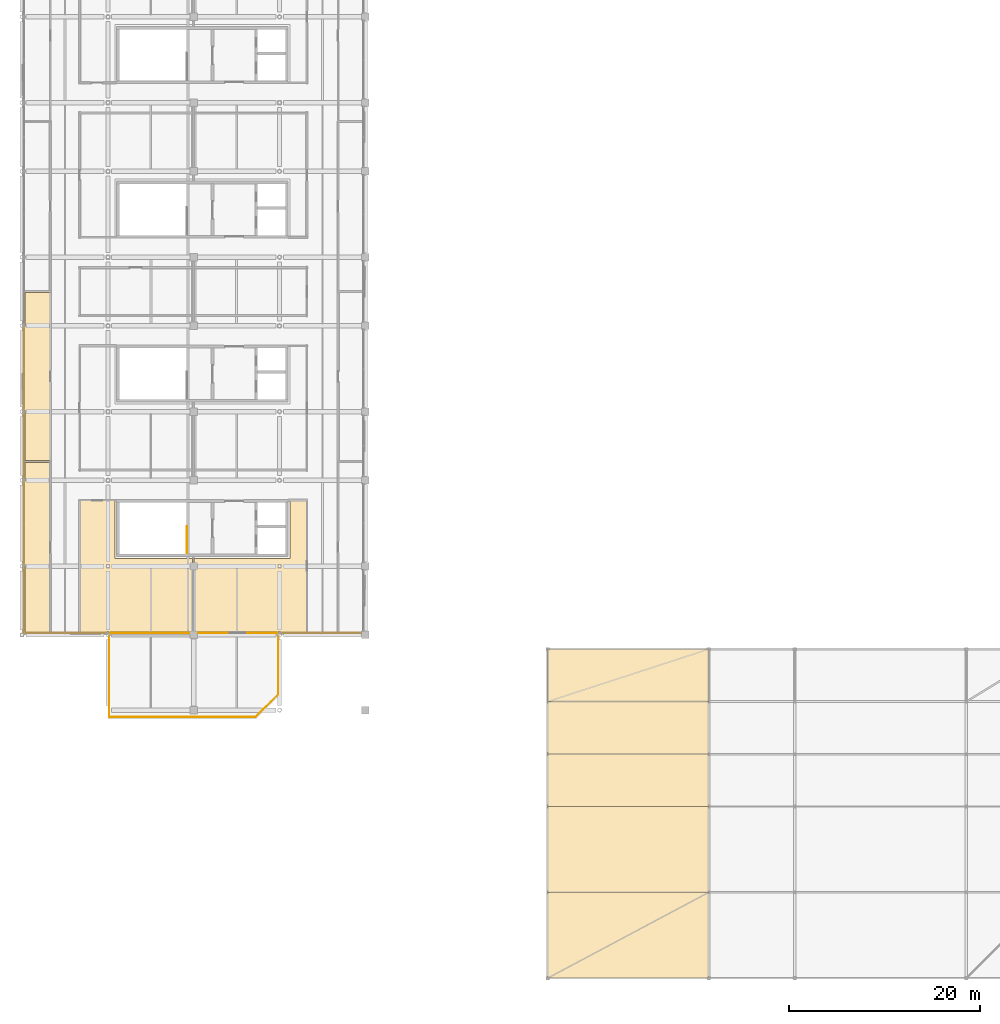
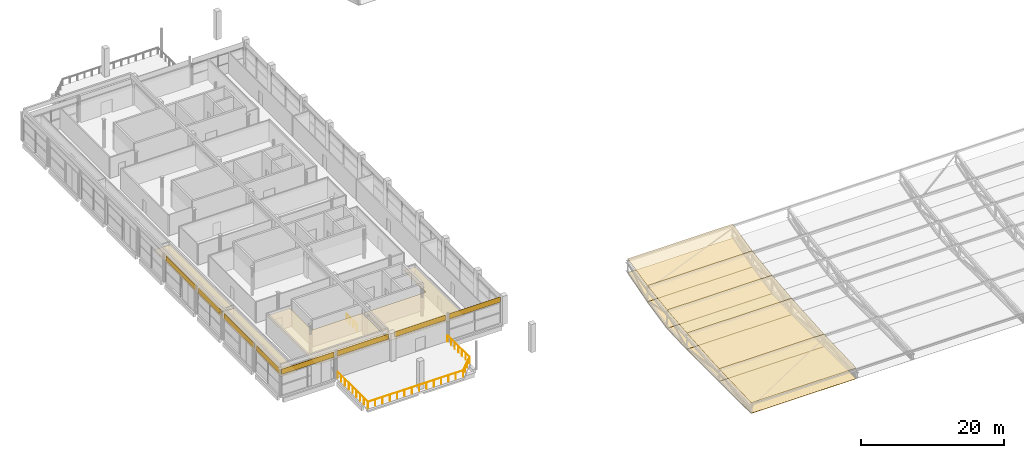
# One storey, part 107 of 114: 22 coverings, 5 railings, 1 element without a shape of its own.
"""IFC4 building model written with IfcOpenShell, lengths in metres."""

from ifc_helpers import new_model, si_unit, direction, frame, origin, origin_2d, place, context, subcontext, project, spatial, polyline, rectangle, circle, outline, extrude, material, layer, layer_set, type_object, element, aggregate, save


model = new_model("IFC4")

# Units and contexts
model_context = context("Model", 3, precision=1e-05, world=origin(), true_north=direction((0.0, 1.0)))
body_context = subcontext(model_context, "Body", "Model", "MODEL_VIEW")
ifc_project = project(units=[si_unit("LENGTHUNIT", "METRE"), si_unit("AREAUNIT", "SQUARE_METRE"), si_unit("VOLUMEUNIT", "CUBIC_METRE"), si_unit("PLANEANGLEUNIT", "RADIAN"), si_unit("MASSUNIT", "GRAM", prefix="KILO"), si_unit("THERMODYNAMICTEMPERATUREUNIT", "KELVIN"), si_unit("POWERUNIT", "WATT")], contexts=[model_context])

# Site, building, storey
site_placement = place(None, origin())
site = spatial("IfcSite", under=ifc_project, at=site_placement, CompositionType="ELEMENT")
building_placement = place(site_placement, origin())
building = spatial("IfcBuilding", under=site, at=building_placement, Name="Sindhuravela Promenade Stadium", CompositionType="ELEMENT")
storey_placement = place(building_placement, frame((0.0, 0.0, 24.0)))
storey = spatial("IfcBuildingStorey", under=building, at=storey_placement, Name="L05", CompositionType="ELEMENT", Elevation=24.0)

# Coverings
ifc_material_1 = material(Name="Acoustic mineral-fibre ceiling tile", Category="gypsum")
ifc_layer_1 = layer(ifc_material_1, 0.02490234375)
ifc_layer_set_1 = layer_set([ifc_layer_1], Name="Acoustic mineral-fibre ceiling tile")
covering_type_1 = type_object("IfcCoveringType", Name="CV-CEIL-1", PredefinedType="CEILING", material=ifc_layer_set_1)
covering_1_placement = place(storey_placement, frame((0.0, 0.0, 3.050048828125)))
element("IfcCovering", 1, at=covering_1_placement, inside=storey, type_object=covering_type_1, Name="Acoustic ceiling Press Conference Hall 2", PredefinedType="CEILING", context=body_context, shape_type="SweptSolid", body=[
    extrude(outline(polyline([(2.97998046875, 45.320068359375), (2.97998046875, 45.318115234375), (2.9794921875, 45.316162109375), (2.97900390625, 45.314208984375), (2.978515625, 45.312255859375), (2.9775390625, 45.310546875), (2.9765625, 45.308837890625), (2.9755859375, 45.307373046875), (2.97412109375, 45.305908203125), (2.97265625, 45.304443359375), (2.97119140625, 45.303466796875), (2.969482421875, 45.302490234375), (2.9677734375, 45.301513671875), (2.9658203125, 45.30078125), (2.9638671875, 45.30029296875), (2.9619140625, 45.300048828125), (2.9599609375, 45.300048828125), (0.320068359375, 45.300048828125), (0.318115234375, 45.300048828125), (0.316162109375, 45.30029296875), (0.314208984375, 45.30078125), (0.312255859375, 45.301513671875), (0.310546875, 45.302490234375), (0.308837890625, 45.303466796875), (0.307373046875, 45.304443359375), (0.305908203125, 45.305908203125), (0.304443359375, 45.307373046875), (0.303466796875, 45.308837890625), (0.302490234375, 45.310546875), (0.301513671875, 45.312255859375), (0.30078125, 45.314208984375), (0.30029296875, 45.316162109375), (0.300048828125, 45.318115234375), (0.300048828125, 45.320068359375), (0.300048828125, 63.0400390625), (0.300048828125, 63.0419921875), (0.30029296875, 63.0439453125), (0.30078125, 63.0458984375), (0.301513671875, 63.047607421875), (0.302490234375, 63.04931640625), (0.303466796875, 63.051025390625), (0.304443359375, 63.052734375), (0.305908203125, 63.05419921875), (0.307373046875, 63.055419921875), (0.308837890625, 63.056640625), (0.310546875, 63.0576171875), (0.312255859375, 63.05859375), (0.314208984375, 63.05908203125), (0.316162109375, 63.0595703125), (0.318115234375, 63.059814453125), (0.320068359375, 63.06005859375), (2.9599609375, 63.06005859375), (2.9619140625, 63.059814453125), (2.9638671875, 63.0595703125), (2.9658203125, 63.05908203125), (2.9677734375, 63.05859375), (2.969482421875, 63.0576171875), (2.97119140625, 63.056640625), (2.97265625, 63.055419921875), (2.97412109375, 63.05419921875), (2.9755859375, 63.052734375), (2.9765625, 63.051025390625), (2.9775390625, 63.04931640625), (2.978515625, 63.047607421875), (2.97900390625, 63.0458984375), (2.9794921875, 63.0439453125), (2.97998046875, 63.0419921875), (2.97998046875, 63.0400390625), (2.97998046875, 45.320068359375)])), origin(), (0.0, 0.0, 1.0), 0.02490234375),
])
covering_2_placement = place(storey_placement, frame((0.0, 0.0, 3.050048828125)))
element("IfcCovering", 2, at=covering_2_placement, inside=storey, type_object=covering_type_1, Name="Acoustic ceiling Television Broadcast Studio A 4", PredefinedType="CEILING", context=body_context, shape_type="SweptSolid", body=[
    extrude(outline(polyline([(2.97998046875, 63.280029296875), (2.97998046875, 63.278076171875), (2.9794921875, 63.276123046875), (2.97900390625, 63.274169921875), (2.978515625, 63.272216796875), (2.9775390625, 63.2705078125), (2.9765625, 63.268798828125), (2.9755859375, 63.267333984375), (2.97412109375, 63.265869140625), (2.97265625, 63.264404296875), (2.97119140625, 63.263427734375), (2.969482421875, 63.262451171875), (2.9677734375, 63.261474609375), (2.9658203125, 63.260986328125), (2.9638671875, 63.260498046875), (2.9619140625, 63.260009765625), (2.9599609375, 63.260009765625), (0.320068359375, 63.260009765625), (0.318115234375, 63.260009765625), (0.316162109375, 63.260498046875), (0.314208984375, 63.260986328125), (0.312255859375, 63.261474609375), (0.310546875, 63.262451171875), (0.308837890625, 63.263427734375), (0.307373046875, 63.264404296875), (0.305908203125, 63.265869140625), (0.304443359375, 63.267333984375), (0.303466796875, 63.268798828125), (0.302490234375, 63.2705078125), (0.301513671875, 63.272216796875), (0.30078125, 63.274169921875), (0.30029296875, 63.276123046875), (0.300048828125, 63.278076171875), (0.300048828125, 63.280029296875), (0.300048828125, 80.8798828125), (0.300048828125, 80.882080078125), (0.30029296875, 80.8837890625), (0.30078125, 80.8857421875), (0.301513671875, 80.8876953125), (0.302490234375, 80.889404296875), (0.303466796875, 80.89111328125), (0.304443359375, 80.892578125), (0.305908203125, 80.89404296875), (0.307373046875, 80.8955078125), (0.308837890625, 80.896484375), (0.310546875, 80.897705078125), (0.312255859375, 80.8984375), (0.314208984375, 80.899169921875), (0.316162109375, 80.899658203125), (0.318115234375, 80.89990234375), (0.320068359375, 80.89990234375), (2.9599609375, 80.89990234375), (2.9619140625, 80.89990234375), (2.9638671875, 80.899658203125), (2.9658203125, 80.899169921875), (2.9677734375, 80.8984375), (2.969482421875, 80.897705078125), (2.97119140625, 80.896484375), (2.97265625, 80.8955078125), (2.97412109375, 80.89404296875), (2.9755859375, 80.892578125), (2.9765625, 80.89111328125), (2.9775390625, 80.889404296875), (2.978515625, 80.8876953125), (2.97900390625, 80.8857421875), (2.9794921875, 80.8837890625), (2.97998046875, 80.882080078125), (2.97998046875, 80.8798828125), (2.97998046875, 63.280029296875)])), origin(), (0.0, 0.0, 1.0), 0.02490234375),
])
ifc_layer_2 = layer(ifc_material_1, 0.044921875)
ifc_layer_set_2 = layer_set([ifc_layer_2], Name="Acoustic mineral-fibre ceiling tile")
covering_type_2 = type_object("IfcCoveringType", Name="CV-CEIL-2", PredefinedType="CEILING", material=ifc_layer_set_2)
covering_3_placement = place(storey_placement, frame((0.0, 0.0, 3.050048828125)))
element("IfcCovering", 3, at=covering_3_placement, inside=storey, type_object=covering_type_2, Name="Acoustic ceiling Press Conference Hall", PredefinedType="CEILING", context=body_context, shape_type="SweptSolid", body=[
    extrude(outline(polyline([(6.02001953125, 59.110107421875), (6.02001953125, 59.112060546875), (6.0205078125, 59.114013671875), (6.02099609375, 59.11572265625), (6.021484375, 59.11767578125), (6.0224609375, 59.119384765625), (6.0234375, 59.12109375), (6.0244140625, 59.122802734375), (6.02587890625, 59.1240234375), (6.02734375, 59.12548828125), (6.02880859375, 59.126708984375), (6.030517578125, 59.127685546875), (6.0322265625, 59.12841796875), (6.0341796875, 59.129150390625), (6.0361328125, 59.129638671875), (6.0380859375, 59.1298828125), (6.0400390625, 59.1298828125), (9.699951171875, 59.1298828125), (9.701904296875, 59.1298828125), (9.703857421875, 59.129638671875), (9.705810546875, 59.129150390625), (9.707763671875, 59.12841796875), (9.70947265625, 59.127685546875), (9.711181640625, 59.126708984375), (9.712646484375, 59.12548828125), (9.714111328125, 59.1240234375), (9.715576171875, 59.122802734375), (9.716552734375, 59.12109375), (9.717529296875, 59.119384765625), (9.718505859375, 59.11767578125), (9.718994140625, 59.11572265625), (9.719482421875, 59.114013671875), (9.719970703125, 59.112060546875), (9.719970703125, 59.110107421875), (9.719970703125, 53.02001953125), (17.830078125, 53.02001953125), (17.83203125, 53.02001953125), (17.833984375, 53.01953125), (17.835693359375, 53.01904296875), (17.837646484375, 53.0185546875), (17.83935546875, 53.017578125), (17.841064453125, 53.0166015625), (17.8427734375, 53.015380859375), (17.843994140625, 53.01416015625), (17.845458984375, 53.0126953125), (17.8466796875, 53.010986328125), (17.84765625, 53.009521484375), (17.848388671875, 53.0078125), (17.84912109375, 53.005859375), (17.849609375, 53.00390625), (17.849853515625, 53.001953125), (17.85009765625, 53.0), (17.85009765625, 45.320068359375), (17.849853515625, 45.318115234375), (17.849609375, 45.316162109375), (17.84912109375, 45.314208984375), (17.848388671875, 45.312255859375), (17.84765625, 45.310546875), (17.8466796875, 45.308837890625), (17.845458984375, 45.307373046875), (17.843994140625, 45.305908203125), (17.8427734375, 45.304443359375), (17.841064453125, 45.303466796875), (17.83935546875, 45.302490234375), (17.837646484375, 45.301513671875), (17.835693359375, 45.30078125), (17.833984375, 45.30029296875), (17.83203125, 45.300048828125), (17.830078125, 45.300048828125), (6.0400390625, 45.300048828125), (6.0380859375, 45.300048828125), (6.0361328125, 45.30029296875), (6.0341796875, 45.30078125), (6.0322265625, 45.301513671875), (6.030517578125, 45.302490234375), (6.02880859375, 45.303466796875), (6.02734375, 45.304443359375), (6.02587890625, 45.305908203125), (6.0244140625, 45.307373046875), (6.0234375, 45.308837890625), (6.0224609375, 45.310546875), (6.021484375, 45.312255859375), (6.02099609375, 45.314208984375), (6.0205078125, 45.316162109375), (6.02001953125, 45.318115234375), (6.02001953125, 45.320068359375), (6.02001953125, 59.110107421875)])), origin(), (0.0, 0.0, 1.0), 0.044921875),
])
covering_4_placement = place(storey_placement, frame((0.0, 0.0, 3.050048828125)))
element("IfcCovering", 4, at=covering_4_placement, inside=storey, type_object=covering_type_2, Name="Acoustic ceiling Match Commentary Boxes", PredefinedType="CEILING", context=body_context, shape_type="SweptSolid", body=[
    extrude(outline(polyline([(28.080078125, 53.02001953125), (28.080078125, 59.110107421875), (28.080078125, 59.112060546875), (28.080322265625, 59.114013671875), (28.080810546875, 59.11572265625), (28.08154296875, 59.11767578125), (28.08251953125, 59.119384765625), (28.08349609375, 59.12109375), (28.08447265625, 59.122802734375), (28.0859375, 59.1240234375), (28.08740234375, 59.12548828125), (28.0888671875, 59.126708984375), (28.090576171875, 59.127685546875), (28.09228515625, 59.12841796875), (28.09423828125, 59.129150390625), (28.09619140625, 59.129638671875), (28.097900390625, 59.1298828125), (28.10009765625, 59.1298828125), (29.860107421875, 59.1298828125), (29.862060546875, 59.1298828125), (29.864013671875, 59.129638671875), (29.86572265625, 59.129150390625), (29.86767578125, 59.12841796875), (29.869384765625, 59.127685546875), (29.87109375, 59.126708984375), (29.872802734375, 59.12548828125), (29.8740234375, 59.1240234375), (29.87548828125, 59.122802734375), (29.876708984375, 59.12109375), (29.877685546875, 59.119384765625), (29.87841796875, 59.11767578125), (29.879150390625, 59.11572265625), (29.879638671875, 59.114013671875), (29.8798828125, 59.112060546875), (29.8798828125, 59.110107421875), (29.8798828125, 45.320068359375), (29.8798828125, 45.318115234375), (29.879638671875, 45.316162109375), (29.879150390625, 45.314208984375), (29.87841796875, 45.312255859375), (29.877685546875, 45.310546875), (29.876708984375, 45.308837890625), (29.87548828125, 45.307373046875), (29.8740234375, 45.305908203125), (29.872802734375, 45.304443359375), (29.87109375, 45.303466796875), (29.869384765625, 45.302490234375), (29.86767578125, 45.301513671875), (29.86572265625, 45.30078125), (29.864013671875, 45.30029296875), (29.862060546875, 45.300048828125), (29.860107421875, 45.300048828125), (18.070068359375, 45.300048828125), (18.068115234375, 45.300048828125), (18.066162109375, 45.30029296875), (18.064208984375, 45.30078125), (18.062255859375, 45.301513671875), (18.060546875, 45.302490234375), (18.058837890625, 45.303466796875), (18.057373046875, 45.304443359375), (18.055908203125, 45.305908203125), (18.054443359375, 45.307373046875), (18.053466796875, 45.308837890625), (18.052490234375, 45.310546875), (18.051513671875, 45.312255859375), (18.05078125, 45.314208984375), (18.05029296875, 45.316162109375), (18.050048828125, 45.318115234375), (18.050048828125, 45.320068359375), (18.050048828125, 53.0), (18.050048828125, 53.001953125), (18.05029296875, 53.00390625), (18.05078125, 53.005859375), (18.051513671875, 53.0078125), (18.052490234375, 53.009521484375), (18.053466796875, 53.010986328125), (18.054443359375, 53.0126953125), (18.055908203125, 53.01416015625), (18.057373046875, 53.015380859375), (18.058837890625, 53.0166015625), (18.060546875, 53.017578125), (18.062255859375, 53.0185546875), (18.064208984375, 53.01904296875), (18.066162109375, 53.01953125), (18.068115234375, 53.02001953125), (18.070068359375, 53.02001953125), (28.080078125, 53.02001953125)])), origin(), (0.0, 0.0, 1.0), 0.044921875),
])

# Roof, coverings
ifc_material_2 = material(Name="Standing-seam zinc-aluminium roof sheet", Category="aluminium")
roof_type = type_object("IfcRoofType", Name="RF-BARREL-S", PredefinedType="BARREL_ROOF", material=ifc_material_2)
roof_placement = place(storey_placement, origin())
roof = element("IfcRoof", 5, at=roof_placement, inside=storey, type_object=roof_type, Name="Cantilevered stand roof assembly S-1", PredefinedType="BARREL_ROOF")
ifc_layer_3 = layer(ifc_material_2, 0.044921875)
ifc_layer_set_3 = layer_set([ifc_layer_3], Name="Standing-seam zinc-aluminium roof sheet")
covering_type_3 = type_object("IfcCoveringType", Name="CV-ROOF-S", PredefinedType="ROOFING", material=ifc_layer_set_3)
covering_5_placement = place(storey_placement, frame((55.10009765625, 9.0, 1.510009765625), z_axis=(0.0, -0.03632583546850814, 0.9993399990381224), x_axis=(1.0, 0.0, 0.0)))
covering_5 = element("IfcCovering", 6, at=covering_5_placement, type_object=covering_type_3, Name="Standing-seam roof covering S bay 1.1", PredefinedType="ROOFING", context=body_context, shape_type="SweptSolid", body=[
    extrude(outline(polyline([(0.0, 0.0), (16.89990234375, 0.0), (16.89990234375, 9.005943931657507), (0.0, 9.005943931657507), (0.0, 0.0)])), origin(), (0.0, 0.0, -1.0), 0.044921875),
])
covering_6_placement = place(storey_placement, frame((55.10009765625, 18.0, 1.837158203125), z_axis=(0.0, -0.07048937017679614, 0.9975125305940165), x_axis=(1.0, 0.0, 0.0)))
covering_6 = element("IfcCovering", 7, at=covering_6_placement, type_object=covering_type_3, Name="Standing-seam roof covering S bay 1.2", PredefinedType="ROOFING", context=body_context, shape_type="SweptSolid", body=[
    extrude(outline(polyline([(0.0, 0.0), (16.89990234375, 0.0), (16.89990234375, 9.022443051056733), (0.0, 9.022443051056733), (0.0, 0.0)])), origin(), (0.0, 0.0, -1.0), 0.044921875),
])
covering_7_placement = place(storey_placement, frame((55.10009765625, 27.0, 2.47314453125), z_axis=(0.0, -0.10654559094419869, 0.9943078180575428), x_axis=(1.0, 0.0, 0.0)))
covering_7 = element("IfcCovering", 8, at=covering_7_placement, type_object=covering_type_3, Name="Standing-seam roof covering S bay 1.3", PredefinedType="ROOFING", context=body_context, shape_type="SweptSolid", body=[
    extrude(outline(polyline([(0.0, 0.0), (16.89990234375, 0.0), (16.89990234375, 5.531486226010649), (0.0, 5.531486226010649), (0.0, 0.0)])), origin(), (0.0, 0.0, -1.0), 0.044921875),
])
covering_8_placement = place(storey_placement, frame((55.10009765625, 32.5, 3.0625), z_axis=(0.0, -0.14687168523012892, 0.9891555530237203), x_axis=(1.0, 0.0, 0.0)))
covering_8 = element("IfcCovering", 9, at=covering_8_placement, type_object=covering_type_3, Name="Standing-seam roof covering S bay 1.4", PredefinedType="ROOFING", context=body_context, shape_type="SweptSolid", body=[
    extrude(outline(polyline([(0.0, 0.0), (16.89990234375, 0.0), (16.89990234375, 5.560298360745398), (0.0, 5.560298360745398), (0.0, 0.0)])), origin(), (0.0, 0.0, -1.0), 0.044921875),
])
covering_9_placement = place(storey_placement, frame((55.10009765625, 38.0, 3.879150390625), z_axis=(0.0, -0.21840708317536628, 0.9758577488644687), x_axis=(1.0, 0.0, 0.0)))
covering_9 = element("IfcCovering", 10, at=covering_9_placement, type_object=covering_type_3, Name="Standing-seam roof covering S bay 1.5", PredefinedType="ROOFING", context=body_context, shape_type="SweptSolid", body=[
    extrude(outline(polyline([(0.0, 0.0), (16.89990234375, 0.0), (16.89990234375, 5.6360673534640995), (0.0, 5.6360673534640995), (0.0, 0.0)])), origin(), (0.0, 0.0, -1.0), 0.044921875),
])
aggregate(roof, [covering_5, covering_6, covering_7, covering_8, covering_9])

# Coverings
ifc_material_3 = material(Name="White PVDF aluminium soffit cladding", Category="aluminium")
ifc_layer_4 = layer(ifc_material_3, 0.034912109375)
ifc_layer_set_4 = layer_set([ifc_layer_4], Name="White PVDF aluminium soffit cladding")
covering_type_4 = type_object("IfcCoveringType", Name="CV-SOFFIT-S", PredefinedType="CEILING", material=ifc_layer_set_4)
for number, where, z_axis, x_axis, name in (
    (11, (55.10009765625, 9.0, -0.300048828125), (0.0, 0.0, 1.0), (1.0, 0.0, 0.0), "Smooth white canopy soffit cladding S bay 1.1"),
    (12, (55.10009765625, 18.0, -0.300048828125), (0.0, 0.0, 1.0), (1.0, 0.0, 0.0), "Smooth white canopy soffit cladding S bay 1.2"),
):
    element("IfcCovering", number, at=place(storey_placement, frame(where, z_axis=z_axis, x_axis=x_axis)), inside=storey, type_object=covering_type_4, Name=name, PredefinedType="CEILING", context=body_context, shape_type="SweptSolid", body=[
        extrude(outline(polyline([(0.0, 0.0), (16.89990234375, 0.0), (16.89990234375, 9.0), (0.0, 9.0), (0.0, 0.0)])), origin(), (0.0, 0.0, -1.0), 0.034912109375),
    ])
covering_10_placement = place(storey_placement, frame((55.10009765625, 27.0, -0.300048828125), z_axis=(0.0, -0.04133538022189949, 0.9991453279387894), x_axis=(1.0, 0.0, 0.0)))
element("IfcCovering", 13, at=covering_10_placement, inside=storey, type_object=covering_type_4, Name="Smooth white canopy soffit cladding S bay 1.3", PredefinedType="CEILING", context=body_context, shape_type="SweptSolid", body=[
    extrude(outline(polyline([(0.0, 0.0), (16.89990234375, 0.0), (16.89990234375, 5.5047047173271135), (0.0, 5.5047047173271135), (0.0, 0.0)])), origin(), (0.0, 0.0, -1.0), 0.034912109375),
])
covering_11_placement = place(storey_placement, frame((55.10009765625, 32.5, -0.072509765625), z_axis=(0.0, -0.21175058451368892, 0.9773237385626683), x_axis=(1.0, 0.0, 0.0)))
element("IfcCovering", 14, at=covering_11_placement, inside=storey, type_object=covering_type_4, Name="Smooth white canopy soffit cladding S bay 1.4", PredefinedType="CEILING", context=body_context, shape_type="SweptSolid", body=[
    extrude(outline(polyline([(0.0, 0.0), (16.89990234375, 0.0), (16.89990234375, 5.627613228845485), (0.0, 5.627613228845485), (0.0, 0.0)])), origin(), (0.0, 0.0, -1.0), 0.034912109375),
])
covering_12_placement = place(storey_placement, frame((55.10009765625, 38.0, 1.119140625), z_axis=(0.0, -0.2802879621914538, 0.9599159641606979), x_axis=(1.0, 0.0, 0.0)))
element("IfcCovering", 15, at=covering_12_placement, inside=storey, type_object=covering_type_4, Name="Smooth white canopy soffit cladding S bay 1.5", PredefinedType="CEILING", context=body_context, shape_type="SweptSolid", body=[
    extrude(outline(polyline([(0.0, 0.0), (16.89990234375, 0.0), (16.89990234375, 5.729668226539938), (0.0, 5.729668226539938), (0.0, 0.0)])), origin(), (0.0, 0.0, -1.0), 0.034912109375),
])
ifc_material_4 = material(Name="Polychrome trencadis ceramic mosaic", Category="masonry")
ifc_layer_5 = layer(ifc_material_4, 0.034912109375)
ifc_layer_set_5 = layer_set([ifc_layer_5], Name="Polychrome trencadis ceramic mosaic")
covering_type_5 = type_object("IfcCoveringType", Name="CV-TRENC-1", PredefinedType="CLADDING", material=ifc_layer_set_5)
for number, where, z_axis, x_axis, name in (
    (16, (0.179931640625, 48.60009765625, 3.55517578125), (0.0, 0.0, 1.0), (0.0, 1.0, 0.0), "Trencadis ceramic mosaic spandrel frieze WEST L05-118"),
    (17, (0.179931640625, 64.800048828125, 3.55517578125), (0.0, 0.0, 1.0), (0.0, 1.0, 0.0), "Trencadis ceramic mosaic spandrel frieze WEST L05-120"),
):
    element("IfcCovering", number, at=place(storey_placement, frame(where, z_axis=z_axis, x_axis=x_axis)), inside=storey, type_object=covering_type_5, Name=name, PredefinedType="CLADDING", context=body_context, shape_type="SweptSolid", body=[
        extrude(rectangle(XDim=6.6640625, YDim=0.034912109375, at=origin_2d()), origin(), (0.0, 0.0, 1.0), 0.905029296875),
    ])
for number, where, z_axis, x_axis, name in (
    (18, (31.401611328125, 45.179931640625, 3.55517578125), (0.0, 0.0, 1.0), (-1.0, 0.0, 0.0), "Trencadis ceramic mosaic spandrel frieze WEST L05-140"),
    (19, (13.401611328125, 45.179931640625, 3.55517578125), (0.0, 0.0, 1.0), (-1.0, 0.0, 0.0), "Trencadis ceramic mosaic spandrel frieze WEST L05-142"),
):
    element("IfcCovering", number, at=place(storey_placement, frame(where, z_axis=z_axis, x_axis=x_axis)), inside=storey, type_object=covering_type_5, Name=name, PredefinedType="CLADDING", context=body_context, shape_type="SweptSolid", body=[
        extrude(rectangle(XDim=8.26708984375, YDim=0.034912109375, at=origin_2d()), origin(), (0.0, 0.0, 1.0), 0.905029296875),
    ])
ifc_layer_6 = layer(ifc_material_4, 0.050048828125)
ifc_layer_set_6 = layer_set([ifc_layer_6], Name="Polychrome trencadis ceramic mosaic")
covering_type_6 = type_object("IfcCoveringType", Name="CV-TRENC-2", PredefinedType="CLADDING", material=ifc_layer_set_6)
for number, where, z_axis, x_axis, name in (
    (20, (0.179931640625, 56.699951171875, 3.55517578125), (0.0, 0.0, 1.0), (0.0, 1.0, 0.0), "Trencadis ceramic mosaic spandrel frieze WEST L05-119"),
    (21, (0.179931640625, 72.89990234375, 3.55517578125), (0.0, 0.0, 1.0), (0.0, 1.0, 0.0), "Trencadis ceramic mosaic spandrel frieze WEST L05-121"),
):
    element("IfcCovering", number, at=place(storey_placement, frame(where, z_axis=z_axis, x_axis=x_axis)), inside=storey, type_object=covering_type_6, Name=name, PredefinedType="CLADDING", context=body_context, shape_type="SweptSolid", body=[
        extrude(rectangle(XDim=8.464111328125, YDim=0.050048828125, at=origin_2d()), origin(), (0.0, 0.0, 1.0), 0.905029296875),
    ])
covering_13_placement = place(storey_placement, frame((22.598388671875, 45.179931640625, 3.55517578125), z_axis=(0.0, 0.0, 1.0), x_axis=(-1.0, 0.0, 0.0)))
element("IfcCovering", 22, at=covering_13_placement, inside=storey, type_object=covering_type_6, Name="Trencadis ceramic mosaic spandrel frieze WEST L05-141", PredefinedType="CLADDING", context=body_context, shape_type="SweptSolid", body=[
    extrude(rectangle(XDim=8.26708984375, YDim=0.050048828125, at=origin_2d()), origin(), (0.0, 0.0, 1.0), 0.905029296875),
])
covering_14_placement = place(storey_placement, frame((4.5, 45.179931640625, 3.55517578125), z_axis=(0.0, 0.0, 1.0), x_axis=(-1.0, 0.0, 0.0)))
element("IfcCovering", 23, at=covering_14_placement, inside=storey, type_object=covering_type_6, Name="Trencadis ceramic mosaic spandrel frieze WEST L05-143", PredefinedType="CLADDING", context=body_context, shape_type="SweptSolid", body=[
    extrude(rectangle(XDim=8.464111328125, YDim=0.050048828125, at=origin_2d()), origin(), (0.0, 0.0, 1.0), 0.905029296875),
])

# Railings
ifc_material_5 = material(Name="Architectural wrought steel E350", Category="steel")
railing_type_1 = type_object("IfcRailingType", Name="RL-BAL-1150", PredefinedType="BALUSTRADE", material=ifc_material_5)
railing_1_placement = place(storey_placement, frame((9.139892578125, 36.389892578125, 0.0)))
element("IfcRailing", 24, at=railing_1_placement, inside=storey, type_object=railing_type_1, Name="Terrace wrought balustrade BL01-49", PredefinedType="BALUSTRADE", context=body_context, shape_type="SweptSolid", body=[
    extrude(circle(Radius=0.02392578125, at=origin_2d()), frame((0.0, 0.0, 1.1259765625), z_axis=(0.0, 1.0, 0.0), x_axis=(-1.0, 0.0, 0.0)), (0.0, 0.0, 1.0), 8.47021484375),
    extrude(circle(Radius=0.02099609375, at=origin_2d()), origin(), (0.0, 0.0, 1.0), 1.101806640625),
    extrude(circle(Radius=0.02099609375, at=origin_2d()), frame((0.0, 1.058837890625, 0.0)), (0.0, 0.0, 1.0), 1.101806640625),
    extrude(circle(Radius=0.02099609375, at=origin_2d()), frame((0.0, 2.11767578125, 0.0)), (0.0, 0.0, 1.0), 1.101806640625),
    extrude(circle(Radius=0.02099609375, at=origin_2d()), frame((0.0, 3.17626953125, 0.0)), (0.0, 0.0, 1.0), 1.101806640625),
    extrude(circle(Radius=0.02099609375, at=origin_2d()), frame((0.0, 4.235107421875, 0.0)), (0.0, 0.0, 1.0), 1.101806640625),
    extrude(circle(Radius=0.02099609375, at=origin_2d()), frame((0.0, 5.2939453125, 0.0)), (0.0, 0.0, 1.0), 1.101806640625),
    extrude(circle(Radius=0.02099609375, at=origin_2d()), frame((0.0, 6.3525390625, 0.0)), (0.0, 0.0, 1.0), 1.101806640625),
    extrude(circle(Radius=0.02099609375, at=origin_2d()), frame((0.0, 7.411376953125, 0.0)), (0.0, 0.0, 1.0), 1.101806640625),
    extrude(circle(Radius=0.02099609375, at=origin_2d()), frame((0.0, 8.47021484375, 0.0)), (0.0, 0.0, 1.0), 1.101806640625),
])
railing_2_placement = place(storey_placement, frame((26.860107421875, 44.860107421875, 0.0)))
element("IfcRailing", 25, at=railing_2_placement, inside=storey, type_object=railing_type_1, Name="Terrace wrought balustrade BL01-50", PredefinedType="BALUSTRADE", context=body_context, shape_type="SweptSolid", body=[
    extrude(circle(Radius=0.02392578125, at=origin_2d()), frame((0.0, 0.0, 1.1259765625), z_axis=(0.0, -1.0, 0.0), x_axis=(1.0, 0.0, 0.0)), (0.0, 0.0, 1.0), 6.10205078125),
    extrude(circle(Radius=0.02099609375, at=origin_2d()), origin(), (0.0, 0.0, 1.0), 1.101806640625),
    extrude(circle(Radius=0.02099609375, at=origin_2d()), frame((0.0, -1.01708984375, 0.0)), (0.0, 0.0, 1.0), 1.101806640625),
    extrude(circle(Radius=0.02099609375, at=origin_2d()), frame((0.0, -2.033935546875, 0.0)), (0.0, 0.0, 1.0), 1.101806640625),
    extrude(circle(Radius=0.02099609375, at=origin_2d()), frame((0.0, -3.051025390625, 0.0)), (0.0, 0.0, 1.0), 1.101806640625),
    extrude(circle(Radius=0.02099609375, at=origin_2d()), frame((0.0, -4.068115234375, 0.0)), (0.0, 0.0, 1.0), 1.101806640625),
    extrude(circle(Radius=0.02099609375, at=origin_2d()), frame((0.0, -5.0849609375, 0.0)), (0.0, 0.0, 1.0), 1.101806640625),
    extrude(circle(Radius=0.02099609375, at=origin_2d()), frame((0.0, -6.10205078125, 0.0)), (0.0, 0.0, 1.0), 1.101806640625),
])
railing_3_placement = place(storey_placement, frame((26.860107421875, 38.758056640625, 0.0)))
element("IfcRailing", 26, at=railing_3_placement, inside=storey, type_object=railing_type_1, Name="Terrace wrought balustrade BL01-51", PredefinedType="BALUSTRADE", context=body_context, shape_type="SweptSolid", body=[
    extrude(circle(Radius=0.02392578125, at=origin_2d()), frame((0.0, 0.0, 1.1259765625), z_axis=(-0.7071067811865475, -0.7071067811865475, 0.0), x_axis=(0.7071067811865476, -0.7071067811865476, 0.0)), (0.0, 0.0, 1.0), 3.34912109375),
    extrude(circle(Radius=0.02099609375, at=origin_2d()), origin(), (0.0, 0.0, 1.0), 1.101806640625),
    extrude(circle(Radius=0.02099609375, at=origin_2d()), frame((-0.789306640625, -0.789306640625, 0.0)), (0.0, 0.0, 1.0), 1.101806640625),
    extrude(circle(Radius=0.02099609375, at=origin_2d()), frame((-1.578857421875, -1.578857421875, 0.0)), (0.0, 0.0, 1.0), 1.101806640625),
    extrude(circle(Radius=0.02099609375, at=origin_2d()), frame((-2.3681640625, -2.3681640625, 0.0)), (0.0, 0.0, 1.0), 1.101806640625),
])
railing_4_placement = place(storey_placement, frame((24.491943359375, 36.389892578125, 0.0)))
element("IfcRailing", 27, at=railing_4_placement, inside=storey, type_object=railing_type_1, Name="Terrace wrought balustrade BL01-52", PredefinedType="BALUSTRADE", context=body_context, shape_type="SweptSolid", body=[
    extrude(circle(Radius=0.02392578125, at=origin_2d()), frame((0.0, 0.0, 1.1259765625), z_axis=(-1.0, 0.0, 0.0), x_axis=(0.0, -1.0, 0.0)), (0.0, 0.0, 1.0), 15.35205078125),
    extrude(circle(Radius=0.02099609375, at=origin_2d()), origin(), (0.0, 0.0, 1.0), 1.101806640625),
    extrude(circle(Radius=0.02099609375, at=origin_2d()), frame((-1.180908203125, 0.0, 0.0)), (0.0, 0.0, 1.0), 1.101806640625),
    extrude(circle(Radius=0.02099609375, at=origin_2d()), frame((-2.36181640625, 0.0, 0.0)), (0.0, 0.0, 1.0), 1.101806640625),
    extrude(circle(Radius=0.02099609375, at=origin_2d()), frame((-3.542724609375, 0.0, 0.0)), (0.0, 0.0, 1.0), 1.101806640625),
    extrude(circle(Radius=0.02099609375, at=origin_2d()), frame((-4.7236328125, 0.0, 0.0)), (0.0, 0.0, 1.0), 1.101806640625),
    extrude(circle(Radius=0.02099609375, at=origin_2d()), frame((-5.904541015625, 0.0, 0.0)), (0.0, 0.0, 1.0), 1.101806640625),
    extrude(circle(Radius=0.02099609375, at=origin_2d()), frame((-7.08544921875, 0.0, 0.0)), (0.0, 0.0, 1.0), 1.101806640625),
    extrude(circle(Radius=0.02099609375, at=origin_2d()), frame((-8.2666015625, 0.0, 0.0)), (0.0, 0.0, 1.0), 1.101806640625),
    extrude(circle(Radius=0.02099609375, at=origin_2d()), frame((-9.447509765625, 0.0, 0.0)), (0.0, 0.0, 1.0), 1.101806640625),
    extrude(circle(Radius=0.02099609375, at=origin_2d()), frame((-10.62841796875, 0.0, 0.0)), (0.0, 0.0, 1.0), 1.101806640625),
    extrude(circle(Radius=0.02099609375, at=origin_2d()), frame((-11.809326171875, 0.0, 0.0)), (0.0, 0.0, 1.0), 1.101806640625),
    extrude(circle(Radius=0.02099609375, at=origin_2d()), frame((-12.990234375, 0.0, 0.0)), (0.0, 0.0, 1.0), 1.101806640625),
    extrude(circle(Radius=0.02099609375, at=origin_2d()), frame((-14.171142578125, 0.0, 0.0)), (0.0, 0.0, 1.0), 1.101806640625),
    extrude(circle(Radius=0.02099609375, at=origin_2d()), frame((-15.35205078125, 0.0, 0.0)), (0.0, 0.0, 1.0), 1.101806640625),
])
railing_type_2 = type_object("IfcRailingType", Name="RL-GRD-1150", PredefinedType="GUARDRAIL", material=ifc_material_5)
railing_5_placement = place(storey_placement, frame((17.280029296875, 53.56005859375, 0.0)))
element("IfcRailing", 28, at=railing_5_placement, inside=storey, type_object=railing_type_2, Name="Stair ST01 top landing well guard (L05)", PredefinedType="GUARDRAIL", context=body_context, shape_type="SweptSolid", body=[
    extrude(circle(Radius=0.02392578125, at=origin_2d()), frame((0.0, 0.0, 1.1259765625), z_axis=(0.0, 1.0, 0.0), x_axis=(-1.0, 0.0, 0.0)), (0.0, 0.0, 1.0), 2.829833984375),
    extrude(circle(Radius=0.02099609375, at=origin_2d()), origin(), (0.0, 0.0, 1.0), 1.101806640625),
    extrude(circle(Radius=0.02099609375, at=origin_2d()), frame((0.0, 0.943359375, 0.0)), (0.0, 0.0, 1.0), 1.101806640625),
    extrude(circle(Radius=0.02099609375, at=origin_2d()), frame((0.0, 1.886474609375, 0.0)), (0.0, 0.0, 1.0), 1.101806640625),
    extrude(circle(Radius=0.02099609375, at=origin_2d()), frame((0.0, 2.829833984375, 0.0)), (0.0, 0.0, 1.0), 1.101806640625),
])

save(model, "model.ifc")
